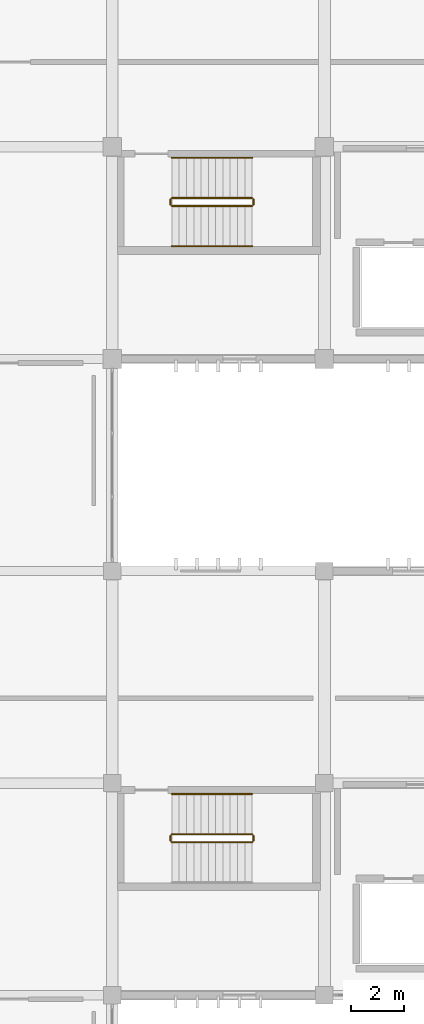
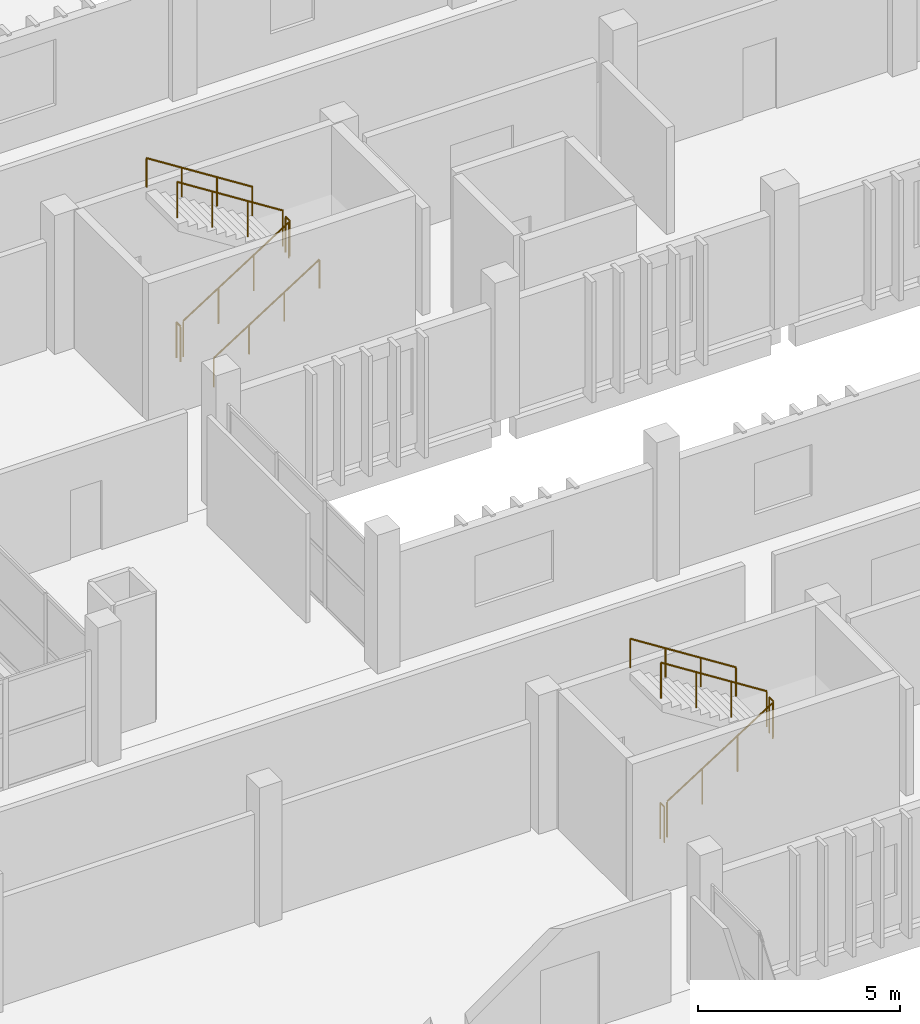
# One storey, part 133 of 137: 11 railings.
"""IFC4 building model written with IfcOpenShell, lengths in metres."""

from ifc_helpers import new_model, si_unit, direction, frame, origin, origin_2d, place, context, subcontext, project, spatial, circle, extrude, material, type_object, element, save


model = new_model("IFC4")

# Units and contexts
model_context = context("Model", 3, precision=1e-05, world=origin(), true_north=direction((0.0, 1.0)))
body_context = subcontext(model_context, "Body", "Model", "MODEL_VIEW")
ifc_project = project(units=[si_unit("LENGTHUNIT", "METRE"), si_unit("AREAUNIT", "SQUARE_METRE"), si_unit("VOLUMEUNIT", "CUBIC_METRE"), si_unit("PLANEANGLEUNIT", "RADIAN"), si_unit("MASSUNIT", "GRAM", prefix="KILO")], contexts=[model_context])

# Site, building, storey
site_placement = place(None, origin())
site = spatial("IfcSite", under=ifc_project, at=site_placement, CompositionType="ELEMENT")
building_placement = place(site_placement, origin())
building = spatial("IfcBuilding", under=site, at=building_placement, Name="Jelvoka-Kovrelna Polytechnic", CompositionType="ELEMENT")
storey_placement = place(building_placement, frame((0.0, 0.0, 9.60009765625)))
storey = spatial("IfcBuildingStorey", under=building, at=storey_placement, Name="L03", CompositionType="ELEMENT", Elevation=9.60009765625)

# Railings
ifc_material_1 = material(Name="Powder-coated steel stair guard", Category="steel")
railing_type_1 = type_object("IfcRailingType", Name="Railing_Stair_Guard_1100", PredefinedType="GUARDRAIL", material=ifc_material_1)
railing_1_placement = place(storey_placement, frame((82.25, 37.77001953125, 0.1748046875)))
element("IfcRailing", 1, at=railing_1_placement, inside=storey, type_object=railing_type_1, Name="L03 ST07 stair guard 1", PredefinedType="GUARDRAIL", context=body_context, shape_type="SweptSolid", body=[
    extrude(circle(Radius=0.02392578125, at=origin_2d()), frame((0.0, 0.0, 1.076171875), z_axis=(0.84364746871, 0.0, 0.536897521451), x_axis=(0.0, 1.0, 0.0)), (0.0, 0.0, 1.0), 3.58544921875),
    extrude(circle(Radius=0.02099609375, at=origin_2d()), origin(), (0.0, 0.0, 1.0), 1.052001953125),
    extrude(circle(Radius=0.02099609375, at=origin_2d()), frame((1.00830078125, 0.0, 0.6416015625)), (0.0, 0.0, 1.0), 1.052001953125),
    extrude(circle(Radius=0.02099609375, at=origin_2d()), frame((2.0166015625, 0.0, 1.283447265625)), (0.0, 0.0, 1.0), 1.052001953125),
    extrude(circle(Radius=0.02099609375, at=origin_2d()), frame((3.02490234375, 0.0, 1.925048828125)), (0.0, 0.0, 1.0), 1.052001953125),
])
railing_2_placement = place(storey_placement, frame((85.324951171875, 37.820068359375, 2.099853515625)))
element("IfcRailing", 2, at=railing_2_placement, inside=storey, type_object=railing_type_1, Name="L03 ST07 stair guard 2", PredefinedType="GUARDRAIL", context=body_context, shape_type="SweptSolid", body=[
    extrude(circle(Radius=0.02392578125, at=origin_2d()), frame((0.0, 0.0, 1.076171875), z_axis=(0.0, 1.0, 0.0), x_axis=(-1.0, 0.0, 0.0)), (0.0, 0.0, 1.0), 0.199951171875),
    extrude(circle(Radius=0.02099609375, at=origin_2d()), origin(), (0.0, 0.0, 1.0), 1.052001953125),
    extrude(circle(Radius=0.02099609375, at=origin_2d()), frame((0.0, 0.199951171875, 0.0)), (0.0, 0.0, 1.0), 1.052001953125),
])
railing_3_placement = place(storey_placement, frame((85.27490234375, 38.070068359375, 2.27490234375)))
element("IfcRailing", 3, at=railing_3_placement, inside=storey, type_object=railing_type_1, Name="L03 ST07 stair guard 3", PredefinedType="GUARDRAIL", context=body_context, shape_type="SweptSolid", body=[
    extrude(circle(Radius=0.02392578125, at=origin_2d()), frame((0.0, 0.0, 1.076171875), z_axis=(-0.84364746871, 0.0, 0.536897521451), x_axis=(0.0, -1.0, 0.0)), (0.0, 0.0, 1.0), 3.58544921875),
    extrude(circle(Radius=0.02099609375, at=origin_2d()), origin(), (0.0, 0.0, 1.0), 1.052001953125),
    extrude(circle(Radius=0.02099609375, at=origin_2d()), frame((-1.00830078125, 0.0, 0.6416015625)), (0.0, 0.0, 1.0), 1.052001953125),
    extrude(circle(Radius=0.02099609375, at=origin_2d()), frame((-2.0166015625, 0.0, 1.283447265625)), (0.0, 0.0, 1.0), 1.052001953125),
    extrude(circle(Radius=0.02099609375, at=origin_2d()), frame((-3.02490234375, 0.0, 1.925048828125)), (0.0, 0.0, 1.0), 1.052001953125),
])
railing_4_placement = place(storey_placement, frame((82.199951171875, 37.820068359375, 0.0)))
element("IfcRailing", 4, at=railing_4_placement, inside=storey, type_object=railing_type_1, Name="L03 ST07 stair guard 4", PredefinedType="GUARDRAIL", context=body_context, shape_type="SweptSolid", body=[
    extrude(circle(Radius=0.02392578125, at=origin_2d()), frame((0.0, 0.0, 1.076171875), z_axis=(0.0, 1.0, 0.0), x_axis=(-1.0, 0.0, 0.0)), (0.0, 0.0, 1.0), 0.199951171875),
    extrude(circle(Radius=0.02099609375, at=origin_2d()), origin(), (0.0, 0.0, 1.0), 1.052001953125),
    extrude(circle(Radius=0.02099609375, at=origin_2d()), frame((0.0, 0.199951171875, 0.0)), (0.0, 0.0, 1.0), 1.052001953125),
])
railing_5_placement = place(storey_placement, frame((82.25, 61.77001953125, 0.1748046875)))
element("IfcRailing", 5, at=railing_5_placement, inside=storey, type_object=railing_type_1, Name="L03 ST09 stair guard 1", PredefinedType="GUARDRAIL", context=body_context, shape_type="SweptSolid", body=[
    extrude(circle(Radius=0.02392578125, at=origin_2d()), frame((0.0, 0.0, 1.076171875), z_axis=(0.84364746871, 0.0, 0.536897521451), x_axis=(0.0, 1.0, 0.0)), (0.0, 0.0, 1.0), 3.58544921875),
    extrude(circle(Radius=0.02099609375, at=origin_2d()), origin(), (0.0, 0.0, 1.0), 1.052001953125),
    extrude(circle(Radius=0.02099609375, at=origin_2d()), frame((1.00830078125, 0.0, 0.6416015625)), (0.0, 0.0, 1.0), 1.052001953125),
    extrude(circle(Radius=0.02099609375, at=origin_2d()), frame((2.0166015625, 0.0, 1.283447265625)), (0.0, 0.0, 1.0), 1.052001953125),
    extrude(circle(Radius=0.02099609375, at=origin_2d()), frame((3.02490234375, 0.0, 1.925048828125)), (0.0, 0.0, 1.0), 1.052001953125),
])
railing_6_placement = place(storey_placement, frame((85.324951171875, 61.820068359375, 2.099853515625)))
element("IfcRailing", 6, at=railing_6_placement, inside=storey, type_object=railing_type_1, Name="L03 ST09 stair guard 2", PredefinedType="GUARDRAIL", context=body_context, shape_type="SweptSolid", body=[
    extrude(circle(Radius=0.02392578125, at=origin_2d()), frame((0.0, 0.0, 1.076171875), z_axis=(0.0, 1.0, 0.0), x_axis=(-1.0, 0.0, 0.0)), (0.0, 0.0, 1.0), 0.199951171875),
    extrude(circle(Radius=0.02099609375, at=origin_2d()), origin(), (0.0, 0.0, 1.0), 1.052001953125),
    extrude(circle(Radius=0.02099609375, at=origin_2d()), frame((0.0, 0.199951171875, 0.0)), (0.0, 0.0, 1.0), 1.052001953125),
])
railing_7_placement = place(storey_placement, frame((85.27490234375, 62.070068359375, 2.27490234375)))
element("IfcRailing", 7, at=railing_7_placement, inside=storey, type_object=railing_type_1, Name="L03 ST09 stair guard 3", PredefinedType="GUARDRAIL", context=body_context, shape_type="SweptSolid", body=[
    extrude(circle(Radius=0.02392578125, at=origin_2d()), frame((0.0, 0.0, 1.076171875), z_axis=(-0.84364746871, 0.0, 0.536897521451), x_axis=(0.0, -1.0, 0.0)), (0.0, 0.0, 1.0), 3.58544921875),
    extrude(circle(Radius=0.02099609375, at=origin_2d()), origin(), (0.0, 0.0, 1.0), 1.052001953125),
    extrude(circle(Radius=0.02099609375, at=origin_2d()), frame((-1.00830078125, 0.0, 0.6416015625)), (0.0, 0.0, 1.0), 1.052001953125),
    extrude(circle(Radius=0.02099609375, at=origin_2d()), frame((-2.0166015625, 0.0, 1.283447265625)), (0.0, 0.0, 1.0), 1.052001953125),
    extrude(circle(Radius=0.02099609375, at=origin_2d()), frame((-3.02490234375, 0.0, 1.925048828125)), (0.0, 0.0, 1.0), 1.052001953125),
])
railing_8_placement = place(storey_placement, frame((82.199951171875, 61.820068359375, 0.0)))
element("IfcRailing", 8, at=railing_8_placement, inside=storey, type_object=railing_type_1, Name="L03 ST09 stair guard 4", PredefinedType="GUARDRAIL", context=body_context, shape_type="SweptSolid", body=[
    extrude(circle(Radius=0.02392578125, at=origin_2d()), frame((0.0, 0.0, 1.076171875), z_axis=(0.0, 1.0, 0.0), x_axis=(-1.0, 0.0, 0.0)), (0.0, 0.0, 1.0), 0.199951171875),
    extrude(circle(Radius=0.02099609375, at=origin_2d()), origin(), (0.0, 0.0, 1.0), 1.052001953125),
    extrude(circle(Radius=0.02099609375, at=origin_2d()), frame((0.0, 0.199951171875, 0.0)), (0.0, 0.0, 1.0), 1.052001953125),
])
ifc_material_2 = material(Name="Brushed stainless steel handrail", Category="steel")
railing_type_2 = type_object("IfcRailingType", Name="Railing_Stair_Handrail_900", PredefinedType="HANDRAIL", material=ifc_material_2)
railing_9_placement = place(storey_placement, frame((85.27490234375, 39.590087890625, 2.27490234375)))
element("IfcRailing", 9, at=railing_9_placement, inside=storey, type_object=railing_type_2, Name="L03 ST07 stair handrail 2", PredefinedType="HANDRAIL", context=body_context, shape_type="SweptSolid", body=[
    extrude(circle(Radius=0.02392578125, at=origin_2d()), frame((0.0, 0.0, 0.8759765625), z_axis=(-0.84364746871, 0.0, 0.536897521451), x_axis=(0.0, -1.0, 0.0)), (0.0, 0.0, 1.0), 3.58544921875),
    extrude(circle(Radius=0.02099609375, at=origin_2d()), origin(), (0.0, 0.0, 1.0), 0.851806640625),
    extrude(circle(Radius=0.02099609375, at=origin_2d()), frame((-1.00830078125, 0.0, 0.6416015625)), (0.0, 0.0, 1.0), 0.851806640625),
    extrude(circle(Radius=0.02099609375, at=origin_2d()), frame((-2.0166015625, 0.0, 1.283447265625)), (0.0, 0.0, 1.0), 0.851806640625),
    extrude(circle(Radius=0.02099609375, at=origin_2d()), frame((-3.02490234375, 0.0, 1.925048828125)), (0.0, 0.0, 1.0), 0.851806640625),
])
railing_10_placement = place(storey_placement, frame((82.25, 60.25, 0.1748046875)))
element("IfcRailing", 10, at=railing_10_placement, inside=storey, type_object=railing_type_2, Name="L03 ST09 stair handrail 1", PredefinedType="HANDRAIL", context=body_context, shape_type="SweptSolid", body=[
    extrude(circle(Radius=0.02392578125, at=origin_2d()), frame((0.0, 0.0, 0.8759765625), z_axis=(0.84364746871, 0.0, 0.536897521451), x_axis=(0.0, 1.0, 0.0)), (0.0, 0.0, 1.0), 3.58544921875),
    extrude(circle(Radius=0.02099609375, at=origin_2d()), origin(), (0.0, 0.0, 1.0), 0.851806640625),
    extrude(circle(Radius=0.02099609375, at=origin_2d()), frame((1.00830078125, 0.0, 0.6416015625)), (0.0, 0.0, 1.0), 0.851806640625),
    extrude(circle(Radius=0.02099609375, at=origin_2d()), frame((2.0166015625, 0.0, 1.283447265625)), (0.0, 0.0, 1.0), 0.851806640625),
    extrude(circle(Radius=0.02099609375, at=origin_2d()), frame((3.02490234375, 0.0, 1.925048828125)), (0.0, 0.0, 1.0), 0.851806640625),
])
railing_11_placement = place(storey_placement, frame((85.27490234375, 63.590087890625, 2.27490234375)))
element("IfcRailing", 11, at=railing_11_placement, inside=storey, type_object=railing_type_2, Name="L03 ST09 stair handrail 2", PredefinedType="HANDRAIL", context=body_context, shape_type="SweptSolid", body=[
    extrude(circle(Radius=0.02392578125, at=origin_2d()), frame((0.0, 0.0, 0.8759765625), z_axis=(-0.84364746871, 0.0, 0.536897521451), x_axis=(0.0, -1.0, 0.0)), (0.0, 0.0, 1.0), 3.58544921875),
    extrude(circle(Radius=0.02099609375, at=origin_2d()), origin(), (0.0, 0.0, 1.0), 0.851806640625),
    extrude(circle(Radius=0.02099609375, at=origin_2d()), frame((-1.00830078125, 0.0, 0.6416015625)), (0.0, 0.0, 1.0), 0.851806640625),
    extrude(circle(Radius=0.02099609375, at=origin_2d()), frame((-2.0166015625, 0.0, 1.283447265625)), (0.0, 0.0, 1.0), 0.851806640625),
    extrude(circle(Radius=0.02099609375, at=origin_2d()), frame((-3.02490234375, 0.0, 1.925048828125)), (0.0, 0.0, 1.0), 0.851806640625),
])

save(model, "model.ifc")
